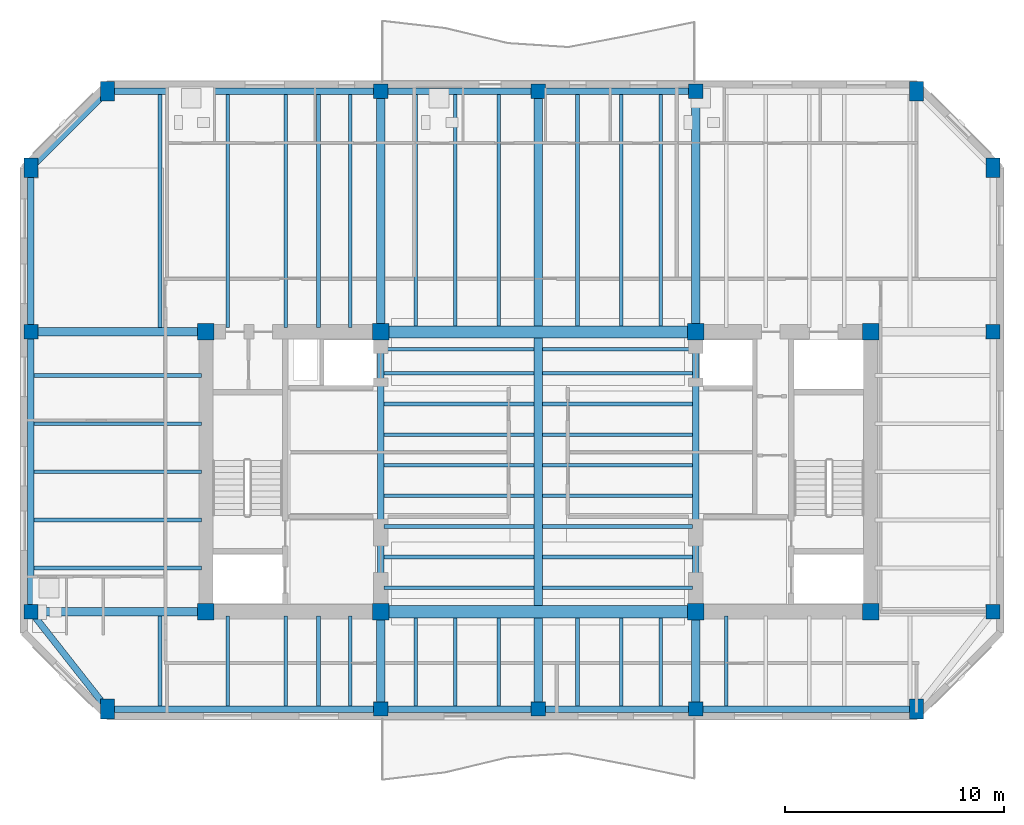
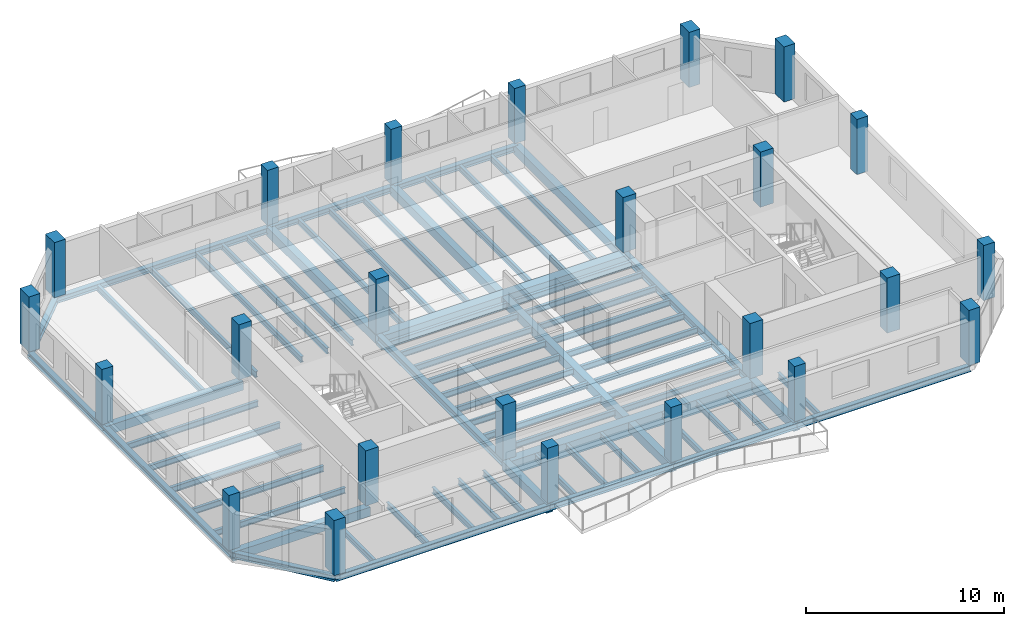
# One storey, part 1 of 10: 70 beams, 24 columns.
"""IFC4 building model written with IfcOpenShell, lengths in metres."""

from ifc_helpers import new_model, si_unit, direction, frame, origin, origin_2d, place, context, subcontext, project, spatial, rectangle, i_section, extrude, material, material_profile, profile_set, type_object, element, save


model = new_model("IFC4")

# Units and contexts
model_context = context("Model", 3, precision=1e-05, world=origin(), true_north=direction((0.0, 1.0)))
body_context = subcontext(model_context, "Body", "Model", "MODEL_VIEW")
ifc_project = project(units=[si_unit("LENGTHUNIT", "METRE"), si_unit("AREAUNIT", "SQUARE_METRE"), si_unit("VOLUMEUNIT", "CUBIC_METRE"), si_unit("PLANEANGLEUNIT", "RADIAN"), si_unit("MASSUNIT", "GRAM", prefix="KILO")], contexts=[model_context])

# Site, building, storey
site_placement = place(None, origin())
site = spatial("IfcSite", under=ifc_project, at=site_placement, CompositionType="ELEMENT")
building_placement = place(site_placement, origin())
building = spatial("IfcBuilding", under=site, at=building_placement, Name="Kranthara Brick Stack", CompositionType="ELEMENT")
storey_placement = place(building_placement, frame((0.0, 0.0, 275.5)))
storey = spatial("IfcBuildingStorey", under=building, at=storey_placement, Name="L73", CompositionType="ELEMENT", Elevation=275.5)

# Columns
ifc_material_1 = material(Name="Concrete C50/60", Category="concrete")
ifc_material_profile_1 = material_profile(ifc_material_1, rectangle(XDim=0.64990234375, YDim=0.89990234375, at=origin_2d()), Name="RC 650x900")
ifc_profile_set_1 = profile_set([ifc_material_profile_1], Name="Concrete C50/60")
column_type_1 = type_object("IfcColumnType", Name="COL-CHAM-650x900", PredefinedType="COLUMN", material=ifc_profile_set_1)
for number, where, z_axis, x_axis, name in (
    (1, (8.300048828125, 16.35009765625, 0.0), (0.0, 0.0, 1.0), (1.0, 0.0, 0.0), "L73 Column 09"),
    (2, (8.300048828125, 44.60009765625, 0.0), (0.0, 0.0, 1.0), (1.0, 0.0, 0.0), "L73 Column 10"),
    (3, (45.300048828125, 16.35009765625, 0.0), (0.0, 0.0, 1.0), (1.0, 0.0, 0.0), "L73 Column 17"),
    (4, (45.300048828125, 44.60009765625, 0.0), (0.0, 0.0, 1.0), (1.0, 0.0, 0.0), "L73 Column 18"),
    (5, (4.800048828125, 41.10009765625, 0.0), (0.0, 0.0, 1.0), (1.0, 0.0, 0.0), "L73 Column 23"),
    (6, (48.800048828125, 41.10009765625, 0.0), (0.0, 0.0, 1.0), (1.0, 0.0, 0.0), "L73 Column 24"),
):
    element("IfcColumn", number, at=place(storey_placement, frame(where, z_axis=z_axis, x_axis=x_axis)), inside=storey, type_object=column_type_1, Name=name, PredefinedType="COLUMN", context=body_context, shape_type="SweptSolid", body=[
        extrude(rectangle(XDim=0.64990234375, YDim=0.89990234375, at=origin_2d()), origin(), (0.0, 0.0, 1.0), 3.39990234375),
    ])
ifc_material_2 = material(Name="Concrete C50/60", Category="concrete")
ifc_material_profile_2 = material_profile(ifc_material_2, rectangle(XDim=0.75, YDim=0.75, at=origin_2d()), Name="RC 750x750")
ifc_profile_set_2 = profile_set([ifc_material_profile_2], Name="Concrete C50/60")
column_type_2 = type_object("IfcColumnType", Name="COL-CORE-750", PredefinedType="COLUMN", material=ifc_profile_set_2)
for number, where, z_axis, x_axis, name in (
    (7, (12.800048828125, 20.800048828125, 0.0), (0.0, 0.0, 1.0), (1.0, 0.0, 0.0), "L73 Column 01"),
    (8, (20.800048828125, 20.800048828125, 0.0), (0.0, 0.0, 1.0), (1.0, 0.0, 0.0), "L73 Column 02"),
    (9, (12.800048828125, 33.60009765625, 0.0), (0.0, 0.0, 1.0), (1.0, 0.0, 0.0), "L73 Column 03"),
    (10, (20.800048828125, 33.60009765625, 0.0), (0.0, 0.0, 1.0), (1.0, 0.0, 0.0), "L73 Column 04"),
    (11, (35.199951171875, 20.800048828125, 0.0), (0.0, 0.0, 1.0), (1.0, 0.0, 0.0), "L73 Column 05"),
    (12, (43.199951171875, 20.800048828125, 0.0), (0.0, 0.0, 1.0), (1.0, 0.0, 0.0), "L73 Column 06"),
    (13, (35.199951171875, 33.60009765625, 0.0), (0.0, 0.0, 1.0), (1.0, 0.0, 0.0), "L73 Column 07"),
    (14, (43.199951171875, 33.60009765625, 0.0), (0.0, 0.0, 1.0), (1.0, 0.0, 0.0), "L73 Column 08"),
):
    element("IfcColumn", number, at=place(storey_placement, frame(where, z_axis=z_axis, x_axis=x_axis)), inside=storey, type_object=column_type_2, Name=name, PredefinedType="COLUMN", context=body_context, shape_type="SweptSolid", body=[
        extrude(rectangle(XDim=0.75, YDim=0.75, at=origin_2d()), origin(), (0.0, 0.0, 1.0), 3.39990234375),
    ])
ifc_material_3 = material(Name="Concrete C50/60", Category="concrete")
ifc_material_profile_3 = material_profile(ifc_material_3, rectangle(XDim=0.64990234375, YDim=0.64990234375, at=origin_2d()), Name="RC 650x650")
ifc_profile_set_3 = profile_set([ifc_material_profile_3], Name="Concrete C50/60")
column_type_3 = type_object("IfcColumnType", Name="COL-PER-650", PredefinedType="COLUMN", material=ifc_profile_set_3)
for number, where, z_axis, x_axis, name in (
    (15, (20.800048828125, 16.35009765625, 0.0), (0.0, 0.0, 1.0), (1.0, 0.0, 0.0), "L73 Column 11"),
    (16, (20.800048828125, 44.60009765625, 0.0), (0.0, 0.0, 1.0), (1.0, 0.0, 0.0), "L73 Column 12"),
    (17, (28.0, 16.35009765625, 0.0), (0.0, 0.0, 1.0), (1.0, 0.0, 0.0), "L73 Column 13"),
    (18, (28.0, 44.60009765625, 0.0), (0.0, 0.0, 1.0), (1.0, 0.0, 0.0), "L73 Column 14"),
    (19, (35.199951171875, 16.35009765625, 0.0), (0.0, 0.0, 1.0), (1.0, 0.0, 0.0), "L73 Column 15"),
    (20, (35.199951171875, 44.60009765625, 0.0), (0.0, 0.0, 1.0), (1.0, 0.0, 0.0), "L73 Column 16"),
    (21, (4.800048828125, 20.800048828125, 0.0), (0.0, 0.0, 1.0), (1.0, 0.0, 0.0), "L73 Column 19"),
    (22, (48.800048828125, 20.800048828125, 0.0), (0.0, 0.0, 1.0), (1.0, 0.0, 0.0), "L73 Column 20"),
    (23, (4.800048828125, 33.60009765625, 0.0), (0.0, 0.0, 1.0), (1.0, 0.0, 0.0), "L73 Column 21"),
    (24, (48.800048828125, 33.60009765625, 0.0), (0.0, 0.0, 1.0), (1.0, 0.0, 0.0), "L73 Column 22"),
):
    element("IfcColumn", number, at=place(storey_placement, frame(where, z_axis=z_axis, x_axis=x_axis)), inside=storey, type_object=column_type_3, Name=name, PredefinedType="COLUMN", context=body_context, shape_type="SweptSolid", body=[
        extrude(rectangle(XDim=0.64990234375, YDim=0.64990234375, at=origin_2d()), origin(), (0.0, 0.0, 1.0), 3.39990234375),
    ])

# Beams
ifc_material_4 = material(Name="Concrete C50/60", Category="concrete")
ifc_material_profile_4 = material_profile(ifc_material_4, rectangle(XDim=0.550048828125, YDim=0.85009765625, at=origin_2d()), Name="RC 550x850")
ifc_profile_set_4 = profile_set([ifc_material_profile_4], Name="Concrete C50/60")
beam_type_1 = type_object("IfcBeamType", Name="BM-CPL-RC850", PredefinedType="LINTEL", material=ifc_profile_set_4)
for number, where, z_axis, x_axis, name in (
    (25, (20.800048828125, 20.800048828125, -0.72509765625), (1.0, 0.0, 0.0), (0.0, 1.0, 0.0), "L73 Core Coupling Beam 001"),
    (26, (20.800048828125, 33.60009765625, -0.72509765625), (1.0, 0.0, 0.0), (0.0, 1.0, 0.0), "L73 Core Coupling Beam 002"),
):
    element("IfcBeam", number, at=place(storey_placement, frame(where, z_axis=z_axis, x_axis=x_axis)), inside=storey, type_object=beam_type_1, Name=name, PredefinedType="LINTEL", context=body_context, shape_type="SweptSolid", body=[
        extrude(rectangle(XDim=0.550048828125, YDim=0.85009765625, at=origin_2d()), origin(), (0.0, 0.0, 1.0), 14.39990234375),
    ])
ifc_material_5 = material(Name="Post-tensioned concrete C45/55", Category="concrete")
ifc_material_profile_5 = material_profile(ifc_material_5, rectangle(XDim=0.39990234375, YDim=0.550048828125, at=origin_2d()), Name="PT 400x550")
ifc_profile_set_5 = profile_set([ifc_material_profile_5], Name="Post-tensioned concrete C45/55")
beam_type_2 = type_object("IfcBeamType", Name="BM-FLR-PT550", PredefinedType="BEAM", material=ifc_profile_set_5)
beam_1_placement = place(storey_placement, frame((20.800048828125, 16.35009765625, -0.574951171875), z_axis=(0.0, 1.0, 0.0), x_axis=(-1.0, 0.0, 0.0)))
element("IfcBeam", 27, at=beam_1_placement, inside=storey, type_object=beam_type_2, Name="L73 Primary Grid Girder 021", PredefinedType="BEAM", context=body_context, shape_type="SweptSolid", body=[
    extrude(rectangle(XDim=0.39990234375, YDim=0.550048828125, at=origin_2d()), origin(), (0.0, 0.0, 1.0), 4.449951171875),
])
beam_2_placement = place(storey_placement, frame((20.800048828125, 33.60009765625, -0.574951171875), z_axis=(0.0, 1.0, 0.0), x_axis=(-1.0, 0.0, 0.0)))
element("IfcBeam", 28, at=beam_2_placement, inside=storey, type_object=beam_type_2, Name="L73 Primary Grid Girder 022", PredefinedType="BEAM", context=body_context, shape_type="SweptSolid", body=[
    extrude(rectangle(XDim=0.39990234375, YDim=0.550048828125, at=origin_2d()), origin(), (0.0, 0.0, 1.0), 11.0),
])
beam_3_placement = place(storey_placement, frame((28.0, 16.35009765625, -0.574951171875), z_axis=(0.0, 1.0, 0.0), x_axis=(-1.0, 0.0, 0.0)))
element("IfcBeam", 29, at=beam_3_placement, inside=storey, type_object=beam_type_2, Name="L73 Primary Grid Girder 023", PredefinedType="BEAM", context=body_context, shape_type="SweptSolid", body=[
    extrude(rectangle(XDim=0.39990234375, YDim=0.550048828125, at=origin_2d()), origin(), (0.0, 0.0, 1.0), 4.1748046875),
])
beam_4_placement = place(storey_placement, frame((28.0, 21.074951171875, -0.574951171875), z_axis=(0.0, 1.0, 0.0), x_axis=(-1.0, 0.0, 0.0)))
element("IfcBeam", 30, at=beam_4_placement, inside=storey, type_object=beam_type_2, Name="L73 Central Spine Girder 024", PredefinedType="BEAM", context=body_context, shape_type="SweptSolid", body=[
    extrude(rectangle(XDim=0.39990234375, YDim=0.550048828125, at=origin_2d()), origin(), (0.0, 0.0, 1.0), 12.25),
])
beam_5_placement = place(storey_placement, frame((28.0, 33.875, -0.574951171875), z_axis=(0.0, 1.0, 0.0), x_axis=(-1.0, 0.0, 0.0)))
element("IfcBeam", 31, at=beam_5_placement, inside=storey, type_object=beam_type_2, Name="L73 Primary Grid Girder 025", PredefinedType="BEAM", context=body_context, shape_type="SweptSolid", body=[
    extrude(rectangle(XDim=0.39990234375, YDim=0.550048828125, at=origin_2d()), origin(), (0.0, 0.0, 1.0), 10.72509765625),
])
beam_6_placement = place(storey_placement, frame((35.199951171875, 16.35009765625, -0.574951171875), z_axis=(0.0, 1.0, 0.0), x_axis=(-1.0, 0.0, 0.0)))
element("IfcBeam", 32, at=beam_6_placement, inside=storey, type_object=beam_type_2, Name="L73 Primary Grid Girder 026", PredefinedType="BEAM", context=body_context, shape_type="SweptSolid", body=[
    extrude(rectangle(XDim=0.39990234375, YDim=0.550048828125, at=origin_2d()), origin(), (0.0, 0.0, 1.0), 4.449951171875),
])
beam_7_placement = place(storey_placement, frame((35.199951171875, 33.60009765625, -0.574951171875), z_axis=(0.0, 1.0, 0.0), x_axis=(-1.0, 0.0, 0.0)))
element("IfcBeam", 33, at=beam_7_placement, inside=storey, type_object=beam_type_2, Name="L73 Primary Grid Girder 027", PredefinedType="BEAM", context=body_context, shape_type="SweptSolid", body=[
    extrude(rectangle(XDim=0.39990234375, YDim=0.550048828125, at=origin_2d()), origin(), (0.0, 0.0, 1.0), 11.0),
])
for number, where, z_axis, x_axis, name in (
    (34, (4.800048828125, 20.800048828125, -0.574951171875), (1.0, 0.0, 0.0), (0.0, 1.0, 0.0), "L73 Primary Grid Girder 028"),
    (35, (4.800048828125, 33.60009765625, -0.574951171875), (1.0, 0.0, 0.0), (0.0, 1.0, 0.0), "L73 Primary Grid Girder 030"),
):
    element("IfcBeam", number, at=place(storey_placement, frame(where, z_axis=z_axis, x_axis=x_axis)), inside=storey, type_object=beam_type_2, Name=name, PredefinedType="BEAM", context=body_context, shape_type="SweptSolid", body=[
        extrude(rectangle(XDim=0.39990234375, YDim=0.550048828125, at=origin_2d()), origin(), (0.0, 0.0, 1.0), 8.0),
    ])
ifc_material_6 = material(Name="Steel S355", Category="steel")
ifc_material_profile_6 = material_profile(ifc_material_6, i_section(OverallWidth=0.169921875, OverallDepth=0.360107421875, WebThickness=0.008056640625, FlangeThickness=0.0126953125, at=origin_2d()), Name="IPE 360")
ifc_profile_set_6 = profile_set([ifc_material_profile_6], Name="Steel S355")
beam_type_3 = type_object("IfcBeamType", Name="BM-JST-IPE360", PredefinedType="JOIST", material=ifc_profile_set_6)
for number, where, z_axis, x_axis, name in (
    (36, (20.949951171875, 21.89990234375, -0.47998046875), (1.0, 0.0, 0.0), (0.0, 1.0, 0.0), "L73 Central Floor Joist 032"),
    (37, (28.199951171875, 21.89990234375, -0.47998046875), (1.0, 0.0, 0.0), (0.0, 1.0, 0.0), "L73 Central Floor Joist 033"),
    (38, (20.949951171875, 23.300048828125, -0.47998046875), (1.0, 0.0, 0.0), (0.0, 1.0, 0.0), "L73 Central Floor Joist 034"),
    (39, (28.199951171875, 23.300048828125, -0.47998046875), (1.0, 0.0, 0.0), (0.0, 1.0, 0.0), "L73 Central Floor Joist 035"),
    (40, (20.949951171875, 24.699951171875, -0.47998046875), (1.0, 0.0, 0.0), (0.0, 1.0, 0.0), "L73 Central Floor Joist 036"),
    (41, (28.199951171875, 24.699951171875, -0.47998046875), (1.0, 0.0, 0.0), (0.0, 1.0, 0.0), "L73 Central Floor Joist 037"),
    (42, (20.949951171875, 26.10009765625, -0.47998046875), (1.0, 0.0, 0.0), (0.0, 1.0, 0.0), "L73 Central Floor Joist 038"),
    (43, (28.199951171875, 26.10009765625, -0.47998046875), (1.0, 0.0, 0.0), (0.0, 1.0, 0.0), "L73 Central Floor Joist 039"),
    (44, (20.949951171875, 27.5, -0.47998046875), (1.0, 0.0, 0.0), (0.0, 1.0, 0.0), "L73 Central Floor Joist 040"),
    (45, (28.199951171875, 27.5, -0.47998046875), (1.0, 0.0, 0.0), (0.0, 1.0, 0.0), "L73 Central Floor Joist 041"),
    (46, (20.949951171875, 28.89990234375, -0.47998046875), (1.0, 0.0, 0.0), (0.0, 1.0, 0.0), "L73 Central Floor Joist 042"),
    (47, (28.199951171875, 28.89990234375, -0.47998046875), (1.0, 0.0, 0.0), (0.0, 1.0, 0.0), "L73 Central Floor Joist 043"),
    (48, (20.949951171875, 30.300048828125, -0.47998046875), (1.0, 0.0, 0.0), (0.0, 1.0, 0.0), "L73 Central Floor Joist 044"),
    (49, (28.199951171875, 30.300048828125, -0.47998046875), (1.0, 0.0, 0.0), (0.0, 1.0, 0.0), "L73 Central Floor Joist 045"),
    (50, (20.949951171875, 31.699951171875, -0.47998046875), (1.0, 0.0, 0.0), (0.0, 1.0, 0.0), "L73 Central Floor Joist 046"),
    (51, (28.199951171875, 31.699951171875, -0.47998046875), (1.0, 0.0, 0.0), (0.0, 1.0, 0.0), "L73 Central Floor Joist 047"),
    (52, (20.949951171875, 32.800048828125, -0.47998046875), (1.0, 0.0, 0.0), (0.0, 1.0, 0.0), "L73 Central Floor Joist 048"),
    (53, (28.199951171875, 32.800048828125, -0.47998046875), (1.0, 0.0, 0.0), (0.0, 1.0, 0.0), "L73 Central Floor Joist 049"),
):
    element("IfcBeam", number, at=place(storey_placement, frame(where, z_axis=z_axis, x_axis=x_axis)), inside=storey, type_object=beam_type_3, Name=name, PredefinedType="JOIST", context=body_context, shape_type="SweptSolid", body=[
        extrude(i_section(OverallWidth=0.169921875, OverallDepth=0.360107421875, WebThickness=0.008056640625, FlangeThickness=0.0126953125, at=origin_2d()), origin(), (0.0, 0.0, 1.0), 6.85009765625),
    ])
beam_8_placement = place(storey_placement, frame((10.699951171875, 16.5, -0.47998046875), z_axis=(0.0, 1.0, 0.0), x_axis=(-1.0, 0.0, 0.0)))
element("IfcBeam", 54, at=beam_8_placement, inside=storey, type_object=beam_type_3, Name="L73 South Wing Floor Joist 050", PredefinedType="JOIST", context=body_context, shape_type="SweptSolid", body=[
    extrude(i_section(OverallWidth=0.169921875, OverallDepth=0.360107421875, WebThickness=0.008056640625, FlangeThickness=0.0126953125, at=origin_2d()), origin(), (0.0, 0.0, 1.0), 4.10009765625),
])
beam_9_placement = place(storey_placement, frame((10.699951171875, 33.800048828125, -0.47998046875), z_axis=(0.0, 1.0, 0.0), x_axis=(-1.0, 0.0, 0.0)))
element("IfcBeam", 55, at=beam_9_placement, inside=storey, type_object=beam_type_3, Name="L73 North Wing Floor Joist 051", PredefinedType="JOIST", context=body_context, shape_type="SweptSolid", body=[
    extrude(i_section(OverallWidth=0.169921875, OverallDepth=0.360107421875, WebThickness=0.008056640625, FlangeThickness=0.0126953125, at=origin_2d()), origin(), (0.0, 0.0, 1.0), 10.64990234375),
])
beam_10_placement = place(storey_placement, frame((13.800048828125, 16.5, -0.47998046875), z_axis=(0.0, 1.0, 0.0), x_axis=(-1.0, 0.0, 0.0)))
element("IfcBeam", 56, at=beam_10_placement, inside=storey, type_object=beam_type_3, Name="L73 South Wing Floor Joist 052", PredefinedType="JOIST", context=body_context, shape_type="SweptSolid", body=[
    extrude(i_section(OverallWidth=0.169921875, OverallDepth=0.360107421875, WebThickness=0.008056640625, FlangeThickness=0.0126953125, at=origin_2d()), origin(), (0.0, 0.0, 1.0), 4.10009765625),
])
beam_11_placement = place(storey_placement, frame((13.800048828125, 33.800048828125, -0.47998046875), z_axis=(0.0, 1.0, 0.0), x_axis=(-1.0, 0.0, 0.0)))
element("IfcBeam", 57, at=beam_11_placement, inside=storey, type_object=beam_type_3, Name="L73 North Wing Floor Joist 053", PredefinedType="JOIST", context=body_context, shape_type="SweptSolid", body=[
    extrude(i_section(OverallWidth=0.169921875, OverallDepth=0.360107421875, WebThickness=0.008056640625, FlangeThickness=0.0126953125, at=origin_2d()), origin(), (0.0, 0.0, 1.0), 10.64990234375),
])
beam_12_placement = place(storey_placement, frame((16.449951171875, 16.5, -0.47998046875), z_axis=(0.0, 1.0, 0.0), x_axis=(-1.0, 0.0, 0.0)))
element("IfcBeam", 58, at=beam_12_placement, inside=storey, type_object=beam_type_3, Name="L73 South Wing Floor Joist 054", PredefinedType="JOIST", context=body_context, shape_type="SweptSolid", body=[
    extrude(i_section(OverallWidth=0.169921875, OverallDepth=0.360107421875, WebThickness=0.008056640625, FlangeThickness=0.0126953125, at=origin_2d()), origin(), (0.0, 0.0, 1.0), 4.10009765625),
])
beam_13_placement = place(storey_placement, frame((16.449951171875, 33.800048828125, -0.47998046875), z_axis=(0.0, 1.0, 0.0), x_axis=(-1.0, 0.0, 0.0)))
element("IfcBeam", 59, at=beam_13_placement, inside=storey, type_object=beam_type_3, Name="L73 North Wing Floor Joist 055", PredefinedType="JOIST", context=body_context, shape_type="SweptSolid", body=[
    extrude(i_section(OverallWidth=0.169921875, OverallDepth=0.360107421875, WebThickness=0.008056640625, FlangeThickness=0.0126953125, at=origin_2d()), origin(), (0.0, 0.0, 1.0), 10.64990234375),
])
beam_14_placement = place(storey_placement, frame((17.949951171875, 16.5, -0.47998046875), z_axis=(0.0, 1.0, 0.0), x_axis=(-1.0, 0.0, 0.0)))
element("IfcBeam", 60, at=beam_14_placement, inside=storey, type_object=beam_type_3, Name="L73 South Wing Floor Joist 056", PredefinedType="JOIST", context=body_context, shape_type="SweptSolid", body=[
    extrude(i_section(OverallWidth=0.169921875, OverallDepth=0.360107421875, WebThickness=0.008056640625, FlangeThickness=0.0126953125, at=origin_2d()), origin(), (0.0, 0.0, 1.0), 4.10009765625),
])
beam_15_placement = place(storey_placement, frame((17.949951171875, 33.800048828125, -0.47998046875), z_axis=(0.0, 1.0, 0.0), x_axis=(-1.0, 0.0, 0.0)))
element("IfcBeam", 61, at=beam_15_placement, inside=storey, type_object=beam_type_3, Name="L73 North Wing Floor Joist 057", PredefinedType="JOIST", context=body_context, shape_type="SweptSolid", body=[
    extrude(i_section(OverallWidth=0.169921875, OverallDepth=0.360107421875, WebThickness=0.008056640625, FlangeThickness=0.0126953125, at=origin_2d()), origin(), (0.0, 0.0, 1.0), 10.64990234375),
])
beam_16_placement = place(storey_placement, frame((19.39990234375, 16.5, -0.47998046875), z_axis=(0.0, 1.0, 0.0), x_axis=(-1.0, 0.0, 0.0)))
element("IfcBeam", 62, at=beam_16_placement, inside=storey, type_object=beam_type_3, Name="L73 South Wing Floor Joist 058", PredefinedType="JOIST", context=body_context, shape_type="SweptSolid", body=[
    extrude(i_section(OverallWidth=0.169921875, OverallDepth=0.360107421875, WebThickness=0.008056640625, FlangeThickness=0.0126953125, at=origin_2d()), origin(), (0.0, 0.0, 1.0), 4.10009765625),
])
beam_17_placement = place(storey_placement, frame((19.39990234375, 33.800048828125, -0.47998046875), z_axis=(0.0, 1.0, 0.0), x_axis=(-1.0, 0.0, 0.0)))
element("IfcBeam", 63, at=beam_17_placement, inside=storey, type_object=beam_type_3, Name="L73 North Wing Floor Joist 059", PredefinedType="JOIST", context=body_context, shape_type="SweptSolid", body=[
    extrude(i_section(OverallWidth=0.169921875, OverallDepth=0.360107421875, WebThickness=0.008056640625, FlangeThickness=0.0126953125, at=origin_2d()), origin(), (0.0, 0.0, 1.0), 10.64990234375),
])
beam_18_placement = place(storey_placement, frame((22.39990234375, 16.5, -0.47998046875), z_axis=(0.0, 1.0, 0.0), x_axis=(-1.0, 0.0, 0.0)))
element("IfcBeam", 64, at=beam_18_placement, inside=storey, type_object=beam_type_3, Name="L73 South Wing Floor Joist 060", PredefinedType="JOIST", context=body_context, shape_type="SweptSolid", body=[
    extrude(i_section(OverallWidth=0.169921875, OverallDepth=0.360107421875, WebThickness=0.008056640625, FlangeThickness=0.0126953125, at=origin_2d()), origin(), (0.0, 0.0, 1.0), 4.02490234375),
])
beam_19_placement = place(storey_placement, frame((22.39990234375, 33.875, -0.47998046875), z_axis=(0.0, 1.0, 0.0), x_axis=(-1.0, 0.0, 0.0)))
element("IfcBeam", 65, at=beam_19_placement, inside=storey, type_object=beam_type_3, Name="L73 North Wing Floor Joist 061", PredefinedType="JOIST", context=body_context, shape_type="SweptSolid", body=[
    extrude(i_section(OverallWidth=0.169921875, OverallDepth=0.360107421875, WebThickness=0.008056640625, FlangeThickness=0.0126953125, at=origin_2d()), origin(), (0.0, 0.0, 1.0), 10.574951171875),
])
beam_20_placement = place(storey_placement, frame((24.199951171875, 16.5, -0.47998046875), z_axis=(0.0, 1.0, 0.0), x_axis=(-1.0, 0.0, 0.0)))
element("IfcBeam", 66, at=beam_20_placement, inside=storey, type_object=beam_type_3, Name="L73 South Wing Floor Joist 062", PredefinedType="JOIST", context=body_context, shape_type="SweptSolid", body=[
    extrude(i_section(OverallWidth=0.169921875, OverallDepth=0.360107421875, WebThickness=0.008056640625, FlangeThickness=0.0126953125, at=origin_2d()), origin(), (0.0, 0.0, 1.0), 4.02490234375),
])
beam_21_placement = place(storey_placement, frame((24.199951171875, 33.875, -0.47998046875), z_axis=(0.0, 1.0, 0.0), x_axis=(-1.0, 0.0, 0.0)))
element("IfcBeam", 67, at=beam_21_placement, inside=storey, type_object=beam_type_3, Name="L73 North Wing Floor Joist 063", PredefinedType="JOIST", context=body_context, shape_type="SweptSolid", body=[
    extrude(i_section(OverallWidth=0.169921875, OverallDepth=0.360107421875, WebThickness=0.008056640625, FlangeThickness=0.0126953125, at=origin_2d()), origin(), (0.0, 0.0, 1.0), 10.574951171875),
])
beam_22_placement = place(storey_placement, frame((26.199951171875, 16.5, -0.47998046875), z_axis=(0.0, 1.0, 0.0), x_axis=(-1.0, 0.0, 0.0)))
element("IfcBeam", 68, at=beam_22_placement, inside=storey, type_object=beam_type_3, Name="L73 South Wing Floor Joist 064", PredefinedType="JOIST", context=body_context, shape_type="SweptSolid", body=[
    extrude(i_section(OverallWidth=0.169921875, OverallDepth=0.360107421875, WebThickness=0.008056640625, FlangeThickness=0.0126953125, at=origin_2d()), origin(), (0.0, 0.0, 1.0), 4.02490234375),
])
beam_23_placement = place(storey_placement, frame((26.199951171875, 33.875, -0.47998046875), z_axis=(0.0, 1.0, 0.0), x_axis=(-1.0, 0.0, 0.0)))
element("IfcBeam", 69, at=beam_23_placement, inside=storey, type_object=beam_type_3, Name="L73 North Wing Floor Joist 065", PredefinedType="JOIST", context=body_context, shape_type="SweptSolid", body=[
    extrude(i_section(OverallWidth=0.169921875, OverallDepth=0.360107421875, WebThickness=0.008056640625, FlangeThickness=0.0126953125, at=origin_2d()), origin(), (0.0, 0.0, 1.0), 10.574951171875),
])
beam_24_placement = place(storey_placement, frame((29.800048828125, 16.5, -0.47998046875), z_axis=(0.0, 1.0, 0.0), x_axis=(-1.0, 0.0, 0.0)))
element("IfcBeam", 70, at=beam_24_placement, inside=storey, type_object=beam_type_3, Name="L73 South Wing Floor Joist 066", PredefinedType="JOIST", context=body_context, shape_type="SweptSolid", body=[
    extrude(i_section(OverallWidth=0.169921875, OverallDepth=0.360107421875, WebThickness=0.008056640625, FlangeThickness=0.0126953125, at=origin_2d()), origin(), (0.0, 0.0, 1.0), 4.02490234375),
])
beam_25_placement = place(storey_placement, frame((29.800048828125, 33.875, -0.47998046875), z_axis=(0.0, 1.0, 0.0), x_axis=(-1.0, 0.0, 0.0)))
element("IfcBeam", 71, at=beam_25_placement, inside=storey, type_object=beam_type_3, Name="L73 North Wing Floor Joist 067", PredefinedType="JOIST", context=body_context, shape_type="SweptSolid", body=[
    extrude(i_section(OverallWidth=0.169921875, OverallDepth=0.360107421875, WebThickness=0.008056640625, FlangeThickness=0.0126953125, at=origin_2d()), origin(), (0.0, 0.0, 1.0), 10.574951171875),
])
beam_26_placement = place(storey_placement, frame((31.800048828125, 16.5, -0.47998046875), z_axis=(0.0, 1.0, 0.0), x_axis=(-1.0, 0.0, 0.0)))
element("IfcBeam", 72, at=beam_26_placement, inside=storey, type_object=beam_type_3, Name="L73 South Wing Floor Joist 068", PredefinedType="JOIST", context=body_context, shape_type="SweptSolid", body=[
    extrude(i_section(OverallWidth=0.169921875, OverallDepth=0.360107421875, WebThickness=0.008056640625, FlangeThickness=0.0126953125, at=origin_2d()), origin(), (0.0, 0.0, 1.0), 4.02490234375),
])
beam_27_placement = place(storey_placement, frame((31.800048828125, 33.875, -0.47998046875), z_axis=(0.0, 1.0, 0.0), x_axis=(-1.0, 0.0, 0.0)))
element("IfcBeam", 73, at=beam_27_placement, inside=storey, type_object=beam_type_3, Name="L73 North Wing Floor Joist 069", PredefinedType="JOIST", context=body_context, shape_type="SweptSolid", body=[
    extrude(i_section(OverallWidth=0.169921875, OverallDepth=0.360107421875, WebThickness=0.008056640625, FlangeThickness=0.0126953125, at=origin_2d()), origin(), (0.0, 0.0, 1.0), 10.574951171875),
])
beam_28_placement = place(storey_placement, frame((33.60009765625, 16.5, -0.47998046875), z_axis=(0.0, 1.0, 0.0), x_axis=(-1.0, 0.0, 0.0)))
element("IfcBeam", 74, at=beam_28_placement, inside=storey, type_object=beam_type_3, Name="L73 South Wing Floor Joist 070", PredefinedType="JOIST", context=body_context, shape_type="SweptSolid", body=[
    extrude(i_section(OverallWidth=0.169921875, OverallDepth=0.360107421875, WebThickness=0.008056640625, FlangeThickness=0.0126953125, at=origin_2d()), origin(), (0.0, 0.0, 1.0), 4.02490234375),
])
beam_29_placement = place(storey_placement, frame((33.60009765625, 33.875, -0.47998046875), z_axis=(0.0, 1.0, 0.0), x_axis=(-1.0, 0.0, 0.0)))
element("IfcBeam", 75, at=beam_29_placement, inside=storey, type_object=beam_type_3, Name="L73 North Wing Floor Joist 071", PredefinedType="JOIST", context=body_context, shape_type="SweptSolid", body=[
    extrude(i_section(OverallWidth=0.169921875, OverallDepth=0.360107421875, WebThickness=0.008056640625, FlangeThickness=0.0126953125, at=origin_2d()), origin(), (0.0, 0.0, 1.0), 10.574951171875),
])
beam_30_placement = place(storey_placement, frame((36.60009765625, 16.5, -0.47998046875), z_axis=(0.0, 1.0, 0.0), x_axis=(-1.0, 0.0, 0.0)))
element("IfcBeam", 76, at=beam_30_placement, inside=storey, type_object=beam_type_3, Name="L73 South Wing Floor Joist 072", PredefinedType="JOIST", context=body_context, shape_type="SweptSolid", body=[
    extrude(i_section(OverallWidth=0.169921875, OverallDepth=0.360107421875, WebThickness=0.008056640625, FlangeThickness=0.0126953125, at=origin_2d()), origin(), (0.0, 0.0, 1.0), 4.10009765625),
])
for number, where, z_axis, x_axis, name in (
    (77, (4.949951171875, 22.800048828125, -0.47998046875), (1.0, 0.0, 0.0), (0.0, 1.0, 0.0), "L73 West Wing Floor Joist 082"),
    (78, (4.949951171875, 25.0, -0.47998046875), (1.0, 0.0, 0.0), (0.0, 1.0, 0.0), "L73 West Wing Floor Joist 084"),
    (79, (4.949951171875, 27.199951171875, -0.47998046875), (1.0, 0.0, 0.0), (0.0, 1.0, 0.0), "L73 West Wing Floor Joist 086"),
    (80, (4.949951171875, 29.39990234375, -0.47998046875), (1.0, 0.0, 0.0), (0.0, 1.0, 0.0), "L73 West Wing Floor Joist 088"),
    (81, (4.949951171875, 31.60009765625, -0.47998046875), (1.0, 0.0, 0.0), (0.0, 1.0, 0.0), "L73 West Wing Floor Joist 090"),
):
    element("IfcBeam", number, at=place(storey_placement, frame(where, z_axis=z_axis, x_axis=x_axis)), inside=storey, type_object=beam_type_3, Name=name, PredefinedType="JOIST", context=body_context, shape_type="SweptSolid", body=[
        extrude(i_section(OverallWidth=0.169921875, OverallDepth=0.360107421875, WebThickness=0.008056640625, FlangeThickness=0.0126953125, at=origin_2d()), origin(), (0.0, 0.0, 1.0), 7.650146484375),
    ])
ifc_material_7 = material(Name="Steel S355", Category="steel")
ifc_material_profile_7 = material_profile(ifc_material_7, i_section(OverallWidth=0.300048828125, OverallDepth=0.360107421875, WebThickness=0.012451171875, FlangeThickness=0.0224609375, at=origin_2d()), Name="HEB 360")
ifc_profile_set_7 = profile_set([ifc_material_profile_7], Name="Steel S355")
beam_type_4 = type_object("IfcBeamType", Name="BM-STL-HEB360", PredefinedType="SPANDREL", material=ifc_profile_set_7)
beam_31_placement = place(storey_placement, frame((8.300048828125, 16.35009765625, -0.47998046875), z_axis=(1.0, 0.0, 0.0), x_axis=(0.0, 1.0, 0.0)))
element("IfcBeam", 82, at=beam_31_placement, inside=storey, type_object=beam_type_4, Name="L73 Perimeter Spandrel Beam 005", PredefinedType="SPANDREL", context=body_context, shape_type="SweptSolid", body=[
    extrude(i_section(OverallWidth=0.300048828125, OverallDepth=0.360107421875, WebThickness=0.012451171875, FlangeThickness=0.0224609375, at=origin_2d()), origin(), (0.0, 0.0, 1.0), 12.5),
])
for number, where, z_axis, x_axis, name in (
    (83, (20.800048828125, 16.35009765625, -0.47998046875), (1.0, 0.0, 0.0), (0.0, 1.0, 0.0), "L73 Perimeter Spandrel Beam 006"),
    (84, (28.0, 16.35009765625, -0.47998046875), (1.0, 0.0, 0.0), (0.0, 1.0, 0.0), "L73 Perimeter Spandrel Beam 007"),
):
    element("IfcBeam", number, at=place(storey_placement, frame(where, z_axis=z_axis, x_axis=x_axis)), inside=storey, type_object=beam_type_4, Name=name, PredefinedType="SPANDREL", context=body_context, shape_type="SweptSolid", body=[
        extrude(i_section(OverallWidth=0.300048828125, OverallDepth=0.360107421875, WebThickness=0.012451171875, FlangeThickness=0.0224609375, at=origin_2d()), origin(), (0.0, 0.0, 1.0), 7.199951171875),
    ])
beam_32_placement = place(storey_placement, frame((35.199951171875, 16.35009765625, -0.47998046875), z_axis=(1.0, 0.0, 0.0), x_axis=(0.0, 1.0, 0.0)))
element("IfcBeam", 85, at=beam_32_placement, inside=storey, type_object=beam_type_4, Name="L73 Perimeter Spandrel Beam 008", PredefinedType="SPANDREL", context=body_context, shape_type="SweptSolid", body=[
    extrude(i_section(OverallWidth=0.300048828125, OverallDepth=0.360107421875, WebThickness=0.012451171875, FlangeThickness=0.0224609375, at=origin_2d()), origin(), (0.0, 0.0, 1.0), 10.10009765625),
])
beam_33_placement = place(storey_placement, frame((8.300048828125, 44.60009765625, -0.47998046875), z_axis=(1.0, 0.0, 0.0), x_axis=(0.0, 1.0, 0.0)))
element("IfcBeam", 86, at=beam_33_placement, inside=storey, type_object=beam_type_4, Name="L73 Perimeter Spandrel Beam 009", PredefinedType="SPANDREL", context=body_context, shape_type="SweptSolid", body=[
    extrude(i_section(OverallWidth=0.300048828125, OverallDepth=0.360107421875, WebThickness=0.012451171875, FlangeThickness=0.0224609375, at=origin_2d()), origin(), (0.0, 0.0, 1.0), 12.5),
])
for number, where, z_axis, x_axis, name in (
    (87, (20.800048828125, 44.60009765625, -0.47998046875), (1.0, 0.0, 0.0), (0.0, 1.0, 0.0), "L73 Perimeter Spandrel Beam 010"),
    (88, (28.0, 44.60009765625, -0.47998046875), (1.0, 0.0, 0.0), (0.0, 1.0, 0.0), "L73 Perimeter Spandrel Beam 011"),
):
    element("IfcBeam", number, at=place(storey_placement, frame(where, z_axis=z_axis, x_axis=x_axis)), inside=storey, type_object=beam_type_4, Name=name, PredefinedType="SPANDREL", context=body_context, shape_type="SweptSolid", body=[
        extrude(i_section(OverallWidth=0.300048828125, OverallDepth=0.360107421875, WebThickness=0.012451171875, FlangeThickness=0.0224609375, at=origin_2d()), origin(), (0.0, 0.0, 1.0), 7.199951171875),
    ])
beam_34_placement = place(storey_placement, frame((4.800048828125, 20.800048828125, -0.47998046875), z_axis=(0.0, 1.0, 0.0), x_axis=(-1.0, 0.0, 0.0)))
element("IfcBeam", 89, at=beam_34_placement, inside=storey, type_object=beam_type_4, Name="L73 Perimeter Spandrel Beam 013", PredefinedType="SPANDREL", context=body_context, shape_type="SweptSolid", body=[
    extrude(i_section(OverallWidth=0.300048828125, OverallDepth=0.360107421875, WebThickness=0.012451171875, FlangeThickness=0.0224609375, at=origin_2d()), origin(), (0.0, 0.0, 1.0), 12.800048828125),
])
beam_35_placement = place(storey_placement, frame((4.800048828125, 33.60009765625, -0.47998046875), z_axis=(0.0, 1.0, 0.0), x_axis=(-1.0, 0.0, 0.0)))
element("IfcBeam", 90, at=beam_35_placement, inside=storey, type_object=beam_type_4, Name="L73 Perimeter Spandrel Beam 014", PredefinedType="SPANDREL", context=body_context, shape_type="SweptSolid", body=[
    extrude(i_section(OverallWidth=0.300048828125, OverallDepth=0.360107421875, WebThickness=0.012451171875, FlangeThickness=0.0224609375, at=origin_2d()), origin(), (0.0, 0.0, 1.0), 7.5),
])
beam_36_placement = place(storey_placement, frame((8.300048828125, 16.35009765625, -0.47998046875), z_axis=(-0.618215705636, 0.78600848679, 0.0), x_axis=(-0.78600848679, -0.618215705636, 0.0)))
element("IfcBeam", 91, at=beam_36_placement, inside=storey, type_object=beam_type_4, Name="L73 Chamfer Corner Spandrel 017", PredefinedType="SPANDREL", context=body_context, shape_type="SweptSolid", body=[
    extrude(i_section(OverallWidth=0.300048828125, OverallDepth=0.360107421875, WebThickness=0.012451171875, FlangeThickness=0.0224609375, at=origin_2d()), origin(), (0.0, 0.0, 1.0), 5.661376953125),
])
beam_37_placement = place(storey_placement, frame((8.300048828125, 44.60009765625, -0.47998046875), z_axis=(-0.707106781187, -0.707106781187, 0.0), x_axis=(0.707106781187, -0.707106781187, 0.0)))
element("IfcBeam", 92, at=beam_37_placement, inside=storey, type_object=beam_type_4, Name="L73 Chamfer Corner Spandrel 019", PredefinedType="SPANDREL", context=body_context, shape_type="SweptSolid", body=[
    extrude(i_section(OverallWidth=0.300048828125, OverallDepth=0.360107421875, WebThickness=0.012451171875, FlangeThickness=0.0224609375, at=origin_2d()), origin(), (0.0, 0.0, 1.0), 4.94970703125),
])
ifc_material_8 = material(Name="Steel S355", Category="steel")
ifc_material_profile_8 = material_profile(ifc_material_8, i_section(OverallWidth=0.300048828125, OverallDepth=0.449951171875, WebThickness=0.013916015625, FlangeThickness=0.02587890625, at=origin_2d()), Name="HEB 450")
ifc_profile_set_8 = profile_set([ifc_material_profile_8], Name="Steel S355")
beam_type_5 = type_object("IfcBeamType", Name="BM-STL-HEB450", PredefinedType="SPANDREL", material=ifc_profile_set_8)
for number, where, z_axis, x_axis, name in (
    (93, (20.800048828125, 20.800048828125, -0.52490234375), (0.0, 1.0, 0.0), (-1.0, 0.0, 0.0), "L73 Core Edge Tie Beam 003"),
    (94, (35.199951171875, 20.800048828125, -0.52490234375), (0.0, 1.0, 0.0), (-1.0, 0.0, 0.0), "L73 Core Edge Tie Beam 004"),
):
    element("IfcBeam", number, at=place(storey_placement, frame(where, z_axis=z_axis, x_axis=x_axis)), inside=storey, type_object=beam_type_5, Name=name, PredefinedType="SPANDREL", context=body_context, shape_type="SweptSolid", body=[
        extrude(i_section(OverallWidth=0.300048828125, OverallDepth=0.449951171875, WebThickness=0.013916015625, FlangeThickness=0.02587890625, at=origin_2d()), origin(), (0.0, 0.0, 1.0), 12.800048828125),
    ])

save(model, "model.ifc")
